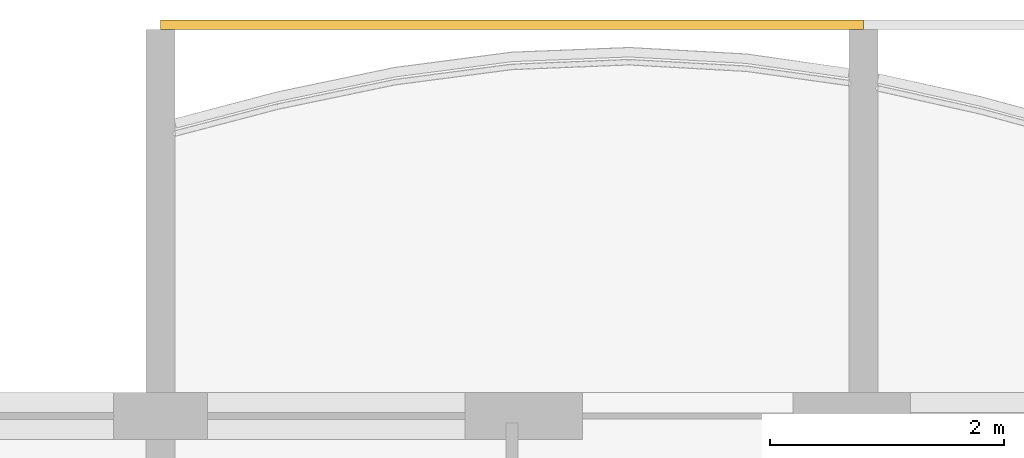
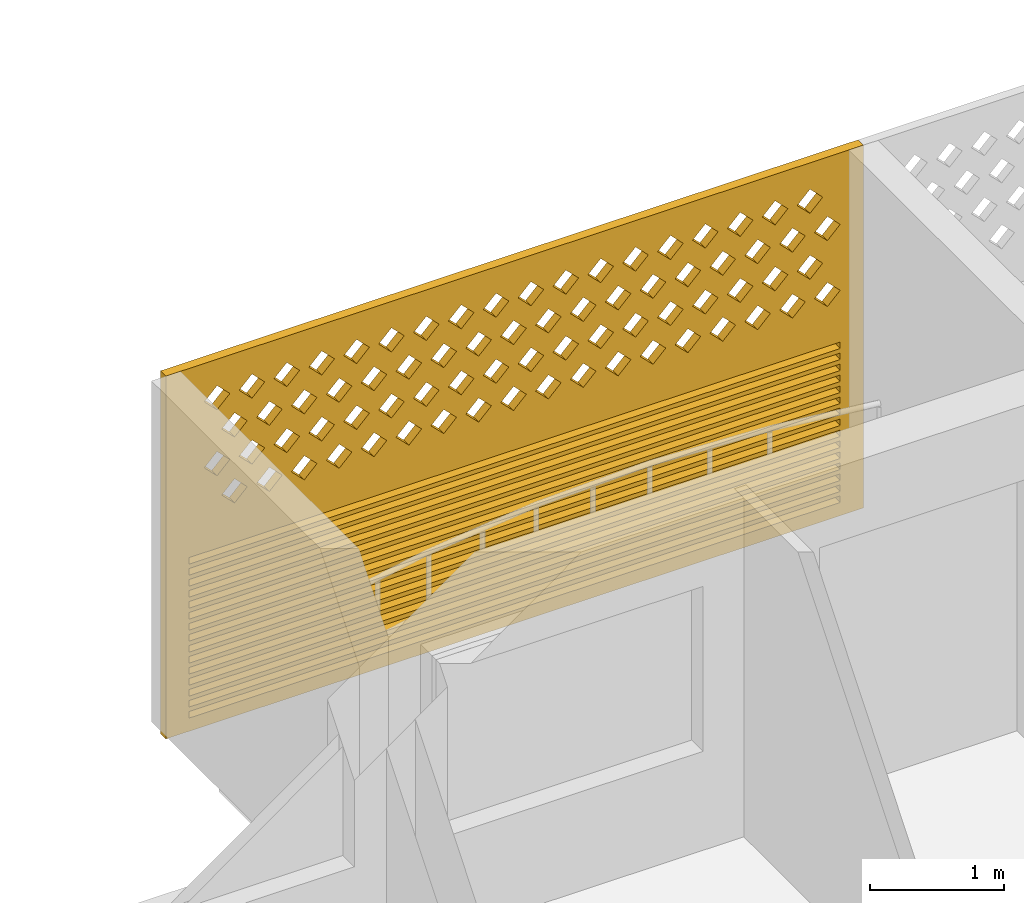
# One storey, part 25 of 29: 1 covering.
"""IFC4 building model written with IfcOpenShell, lengths in metres."""

import ifcopenshell
import ifcopenshell.guid

model = None  # the IFC model being written
_history = None  # IfcOwnerHistory: only IFC2X3 demands one
_inside = {}  # id of a spatial element -> (the spatial element, [elements in it])
_under = {}  # id of a project, library or spatial element -> (it, [spatial elements below it])
_declared = {}  # id of a project -> (the project, [libraries it declares])
_typed = {}  # id of a type object -> (the type object, [elements of that type])
_made_of = {}  # id of a material, layer set ... -> (it, [elements and type objects made of it])


def new_model(schema):
    """Start an empty IFC model of exactly this schema.

    Asked for "IFC4X3", IfcOpenShell would pick the latest addendum, in which some entities
    have other attributes; the version numbers below select the first issue.
    IFC2X3 requires an IfcOwnerHistory on every rooted entity: one is made here for all.
    """
    global model, _history
    if schema == "IFC4X3":
        model = ifcopenshell.file(schema_version=(4, 3, 0, 0))
    else:
        model = ifcopenshell.file(schema=schema)
    _inside.clear()
    _under.clear()
    _declared.clear()
    _typed.clear()
    _made_of.clear()
    _history = None
    if model.schema == "IFC2X3":
        org = make("IfcOrganization", Name="unknown")
        user = make(
            "IfcPersonAndOrganization",
            ThePerson=make("IfcPerson", FamilyName="unknown"),
            TheOrganization=org,
        )
        app = make(
            "IfcApplication",
            ApplicationDeveloper=org,
            Version="unknown",
            ApplicationFullName="unknown",
            ApplicationIdentifier="unknown",
        )
        _history = make(
            "IfcOwnerHistory",
            OwningUser=user,
            OwningApplication=app,
            ChangeAction="ADDED",
            CreationDate=0,
        )
    return model


def make(cls, **values):
    """One entity of the class cls with the attributes given. An attribute that is None is left unset."""
    return model.create_entity(
        cls, **{name: value for name, value in values.items() if value is not None}
    )


def rooted(cls, **values):
    """An entity with a GlobalId (a new one), such as an element, a storey or a relation."""
    return make(cls, GlobalId=ifcopenshell.guid.new(), OwnerHistory=_history, **values)


def si_unit(unit_type, name, prefix=None):
    """IfcSIUnit, for example si_unit("LENGTHUNIT", "METRE", prefix="MILLI")."""
    return make("IfcSIUnit", UnitType=unit_type, Prefix=prefix, Name=name)


def assignment(units):
    """IfcUnitAssignment: the units of a project."""
    return None if units is None else make("IfcUnitAssignment", Units=units)


def point(xyz):
    """IfcCartesianPoint."""
    return None if xyz is None else make("IfcCartesianPoint", Coordinates=xyz)


def direction(xyz):
    """IfcDirection."""
    return None if xyz is None else make("IfcDirection", DirectionRatios=xyz)


def frame(location, z_axis=None, x_axis=None):
    """IfcAxis2Placement3D, a coordinate frame: its origin and axes. An axis left out is left unset."""
    return make(
        "IfcAxis2Placement3D",
        Location=point(location),
        Axis=direction(z_axis),
        RefDirection=direction(x_axis),
    )


def origin():
    """The frame at (0, 0, 0) with its axes left unset."""
    return frame((0.0, 0.0, 0.0))


def place(relative_to, where):
    """IfcLocalPlacement: puts the frame where relative to a parent placement (None: the world)."""
    return make(
        "IfcLocalPlacement", PlacementRelTo=relative_to, RelativePlacement=where
    )


def context(
    kind, dimensions, precision=None, world=None, true_north=None, identifier=None
):
    """IfcGeometricRepresentationContext, for example the 3D "Model" context."""
    return make(
        "IfcGeometricRepresentationContext",
        ContextIdentifier=identifier,
        ContextType=kind,
        CoordinateSpaceDimension=dimensions,
        Precision=precision,
        WorldCoordinateSystem=world,
        TrueNorth=true_north,
    )


def subcontext(parent, identifier, kind, view, scale=None):
    """IfcGeometricRepresentationSubContext, for example "Body" below "Model"."""
    return make(
        "IfcGeometricRepresentationSubContext",
        ContextIdentifier=identifier,
        ContextType=kind,
        ParentContext=parent,
        TargetScale=scale,
        TargetView=view,
    )


def project(units=None, contexts=None):
    """IfcProject with its units and contexts."""
    return rooted(
        "IfcProject",
        Name="project",
        RepresentationContexts=contexts,
        UnitsInContext=assignment(units),
    )


def spatial(cls, under=None, at=None, **own):
    """A site, building, storey or space (cls), placed at a placement, below another one or the project."""
    s = rooted(cls, ObjectPlacement=at, **own)
    if under is not None:
        _under.setdefault(under.id(), (under, []))[1].append(s)
    return s


def polyline(points):
    """IfcPolyline through the points."""
    return make("IfcPolyline", Points=[point(p) for p in points])


def outline(outer, holes=None, kind="AREA"):
    """IfcArbitraryClosedProfileDef: a profile drawn as a closed curve; with holes, ...WithVoids."""
    if holes is None:
        return make("IfcArbitraryClosedProfileDef", ProfileType=kind, OuterCurve=outer)
    return make(
        "IfcArbitraryProfileDefWithVoids",
        ProfileType=kind,
        OuterCurve=outer,
        InnerCurves=holes,
    )


def extrude(swept, where, along, depth):
    """IfcExtrudedAreaSolid: the profile swept, set in the frame where, extruded along a direction by depth."""
    return make(
        "IfcExtrudedAreaSolid",
        SweptArea=swept,
        Position=where,
        ExtrudedDirection=direction(along),
        Depth=depth,
    )


def shape(context_of_items, identifier, shape_type, items):
    """IfcShapeRepresentation: the items that make up one representation, for example the "Body"."""
    return make(
        "IfcShapeRepresentation",
        ContextOfItems=context_of_items,
        RepresentationIdentifier=identifier,
        RepresentationType=shape_type,
        Items=items,
    )


def source(mapping_origin, context_of_items, identifier, shape_type, items):
    """IfcRepresentationMap: a shape defined once, which mapped items show again and again."""
    return make(
        "IfcRepresentationMap",
        MappingOrigin=mapping_origin,
        MappedRepresentation=shape(context_of_items, identifier, shape_type, items),
    )


def transform(
    local_origin,
    x_axis=None,
    y_axis=None,
    z_axis=None,
    scale=None,
    scale2=None,
    scale3=None,
    uniform=True,
):
    """IfcCartesianTransformationOperator3D, or its non-uniform kind. x_axis, y_axis, z_axis: its Axis1, 2, 3."""
    if uniform:
        return make(
            "IfcCartesianTransformationOperator3D",
            Axis1=direction(x_axis),
            Axis2=direction(y_axis),
            LocalOrigin=point(local_origin),
            Scale=scale,
            Axis3=direction(z_axis),
        )
    return make(
        "IfcCartesianTransformationOperator3DnonUniform",
        Axis1=direction(x_axis),
        Axis2=direction(y_axis),
        LocalOrigin=point(local_origin),
        Scale=scale,
        Axis3=direction(z_axis),
        Scale2=scale2,
        Scale3=scale3,
    )


def mapped(mapping_source, mapping_target):
    """IfcMappedItem: shows the shape of a source again, moved by a transform."""
    return make(
        "IfcMappedItem", MappingSource=mapping_source, MappingTarget=mapping_target
    )


def material(Name=None, Category=None):
    """IfcMaterial."""
    return make("IfcMaterial", Name=Name, Category=Category)


def material_profile(
    of_material, cross_section, Name=None, Category=None, Priority=None
):
    """IfcMaterialProfile: a cross section and its material."""
    return make(
        "IfcMaterialProfile",
        Name=Name,
        Material=of_material,
        Profile=cross_section,
        Priority=Priority,
        Category=Category,
    )


def profile_set(profiles, Name=None, composite=None):
    """IfcMaterialProfileSet."""
    return make(
        "IfcMaterialProfileSet",
        Name=Name,
        MaterialProfiles=profiles,
        CompositeProfile=composite,
    )


def made_of(thing, what):
    """Note that an element or type object is made of a material, layer set ...; save() writes the relation."""
    if what is not None:
        _made_of.setdefault(what.id(), (what, []))[1].append(thing)
    return thing


def type_object(cls, material=None, **own):
    """A type object (cls), such as IfcWallType, which elements share."""
    return made_of(rooted(cls, **own), material)


def element(
    cls,
    number,
    at=None,
    inside=None,
    cuts=None,
    type_object=None,
    material=None,
    context=None,
    identifier="Body",
    shape_type=None,
    held_by="IfcProductDefinitionShape",
    body=None,
    shapes=None,
    **own,
):
    """One element of the class cls, such as IfcWall. Its Tag is "e" and its number.

    at: its placement. inside: the storey or other place that contains it. cuts: it is an
    opening in that element (IfcRelVoidsElement). A single representation is given by context,
    identifier, shape_type and body (its items); several are given by shapes. held_by: the class
    of the entity that holds the representations. save() writes the other relations.
    """
    e = rooted(cls, Tag="e%d" % number, ObjectPlacement=at, **own)
    if body is not None:
        shapes = [shape(context, identifier, shape_type, body)]
    if shapes is not None:
        e.Representation = make(held_by, Representations=shapes)
    if inside is not None:
        _inside.setdefault(inside.id(), (inside, []))[1].append(e)
    if cuts is not None:
        rooted(
            "IfcRelVoidsElement", RelatingBuildingElement=cuts, RelatedOpeningElement=e
        )
    if type_object is not None:
        _typed.setdefault(type_object.id(), (type_object, []))[1].append(e)
    return made_of(e, material)


def aggregate(whole, parts):
    """IfcRelAggregates: a whole, such as a stair, and the parts it consists of."""
    return rooted("IfcRelAggregates", RelatingObject=whole, RelatedObjects=parts)


def save(model, path):
    """Write the relations noted so far, then the file.

    IfcRelAggregates (storeys below a building ...), IfcRelContainedInSpatialStructure (elements
    in a storey), IfcRelDefinesByType, IfcRelAssociatesMaterial and IfcRelDeclares: one each for
    every whole, place, type object, material and project.
    """
    for whole, parts in _under.values():
        aggregate(whole, parts)
    for where, things in _inside.values():
        rooted(
            "IfcRelContainedInSpatialStructure",
            RelatedElements=things,
            RelatingStructure=where,
        )
    for kind, things in _typed.values():
        rooted("IfcRelDefinesByType", RelatedObjects=things, RelatingType=kind)
    for what, things in _made_of.values():
        rooted("IfcRelAssociatesMaterial", RelatedObjects=things, RelatingMaterial=what)
    for by, libraries in _declared.values():
        rooted("IfcRelDeclares", RelatingContext=by, RelatedDefinitions=libraries)
    model.write(path)


model = new_model("IFC4")

# Units and contexts
model_context = context("Model", 3, precision=1e-05, world=origin(), true_north=direction((0.0, 1.0)))
body_context = subcontext(model_context, "Body", "Model", "MODEL_VIEW")
ifc_project = project(units=[si_unit("LENGTHUNIT", "METRE"), si_unit("AREAUNIT", "SQUARE_METRE"), si_unit("VOLUMEUNIT", "CUBIC_METRE"), si_unit("PLANEANGLEUNIT", "RADIAN"), si_unit("MASSUNIT", "GRAM", prefix="KILO")], contexts=[model_context])

# Site, building, storey
site_placement = place(None, origin())
site = spatial("IfcSite", under=ifc_project, at=site_placement, CompositionType="ELEMENT")
building_placement = place(site_placement, origin())
building = spatial("IfcBuilding", under=site, at=building_placement, Name="Poui Terraces", CompositionType="ELEMENT")
storey_placement = place(building_placement, frame((0.0, 0.0, 237.89990234375)))
storey = spatial("IfcBuildingStorey", under=building, at=storey_placement, Name="L66", CompositionType="ELEMENT", Elevation=237.89990234375)

# Covering
ifc_material = material(Name="Terracotta screen", Category="masonry")
ifc_material_profile = material_profile(ifc_material, outline(polyline([(-3.0, -1.64990234375), (3.0, -1.64990234375), (3.0, 1.64990234375), (-3.0, 1.64990234375), (-3.0, -1.64990234375)]), holes=[polyline([(-2.800048828125, 0.39990234375), (-2.68994140625, 0.2900390625), (-2.580078125, 0.39990234375), (-2.68994140625, 0.510009765625), (-2.800048828125, 0.39990234375)]), polyline([(-2.5, 0.39990234375), (-2.389892578125, 0.2900390625), (-2.280029296875, 0.39990234375), (-2.389892578125, 0.510009765625), (-2.5, 0.39990234375)]), polyline([(-2.199951171875, 0.39990234375), (-2.090087890625, 0.2900390625), (-1.97998046875, 0.39990234375), (-2.090087890625, 0.510009765625), (-2.199951171875, 0.39990234375)]), polyline([(-1.89990234375, 0.39990234375), (-1.7900390625, 0.2900390625), (-1.679931640625, 0.39990234375), (-1.7900390625, 0.510009765625), (-1.89990234375, 0.39990234375)]), polyline([(-1.60009765625, 0.39990234375), (-1.489990234375, 0.2900390625), (-1.3798828125, 0.39990234375), (-1.489990234375, 0.510009765625), (-1.60009765625, 0.39990234375)]), polyline([(-1.300048828125, 0.39990234375), (-1.18994140625, 0.2900390625), (-1.080078125, 0.39990234375), (-1.18994140625, 0.510009765625), (-1.300048828125, 0.39990234375)]), polyline([(-1.0, 0.39990234375), (-0.889892578125, 0.2900390625), (-0.780029296875, 0.39990234375), (-0.889892578125, 0.510009765625), (-1.0, 0.39990234375)]), polyline([(-0.699951171875, 0.39990234375), (-0.590087890625, 0.2900390625), (-0.47998046875, 0.39990234375), (-0.590087890625, 0.510009765625), (-0.699951171875, 0.39990234375)]), polyline([(-0.39990234375, 0.39990234375), (-0.2900390625, 0.2900390625), (-0.179931640625, 0.39990234375), (-0.2900390625, 0.510009765625), (-0.39990234375, 0.39990234375)]), polyline([(-0.10009765625, 0.39990234375), (0.010009765625, 0.2900390625), (0.1201171875, 0.39990234375), (0.010009765625, 0.510009765625), (-0.10009765625, 0.39990234375)]), polyline([(0.199951171875, 0.39990234375), (0.31005859375, 0.2900390625), (0.419921875, 0.39990234375), (0.31005859375, 0.510009765625), (0.199951171875, 0.39990234375)]), polyline([(0.5, 0.39990234375), (0.610107421875, 0.2900390625), (0.719970703125, 0.39990234375), (0.610107421875, 0.510009765625), (0.5, 0.39990234375)]), polyline([(0.800048828125, 0.39990234375), (0.909912109375, 0.2900390625), (1.02001953125, 0.39990234375), (0.909912109375, 0.510009765625), (0.800048828125, 0.39990234375)]), polyline([(1.10009765625, 0.39990234375), (1.2099609375, 0.2900390625), (1.320068359375, 0.39990234375), (1.2099609375, 0.510009765625), (1.10009765625, 0.39990234375)]), polyline([(1.39990234375, 0.39990234375), (1.510009765625, 0.2900390625), (1.6201171875, 0.39990234375), (1.510009765625, 0.510009765625), (1.39990234375, 0.39990234375)]), polyline([(1.699951171875, 0.39990234375), (1.81005859375, 0.2900390625), (1.919921875, 0.39990234375), (1.81005859375, 0.510009765625), (1.699951171875, 0.39990234375)]), polyline([(2.0, 0.39990234375), (2.110107421875, 0.2900390625), (2.219970703125, 0.39990234375), (2.110107421875, 0.510009765625), (2.0, 0.39990234375)]), polyline([(2.300048828125, 0.39990234375), (2.409912109375, 0.2900390625), (2.52001953125, 0.39990234375), (2.409912109375, 0.510009765625), (2.300048828125, 0.39990234375)]), polyline([(-2.64990234375, 0.699951171875), (-2.5400390625, 0.590087890625), (-2.429931640625, 0.699951171875), (-2.5400390625, 0.81005859375), (-2.64990234375, 0.699951171875)]), polyline([(-2.35009765625, 0.699951171875), (-2.239990234375, 0.590087890625), (-2.1298828125, 0.699951171875), (-2.239990234375, 0.81005859375), (-2.35009765625, 0.699951171875)]), polyline([(-2.050048828125, 0.699951171875), (-1.93994140625, 0.590087890625), (-1.830078125, 0.699951171875), (-1.93994140625, 0.81005859375), (-2.050048828125, 0.699951171875)]), polyline([(-1.75, 0.699951171875), (-1.639892578125, 0.590087890625), (-1.530029296875, 0.699951171875), (-1.639892578125, 0.81005859375), (-1.75, 0.699951171875)]), polyline([(-1.449951171875, 0.699951171875), (-1.340087890625, 0.590087890625), (-1.22998046875, 0.699951171875), (-1.340087890625, 0.81005859375), (-1.449951171875, 0.699951171875)]), polyline([(-1.14990234375, 0.699951171875), (-1.0400390625, 0.590087890625), (-0.929931640625, 0.699951171875), (-1.0400390625, 0.81005859375), (-1.14990234375, 0.699951171875)]), polyline([(-0.85009765625, 0.699951171875), (-0.739990234375, 0.590087890625), (-0.6298828125, 0.699951171875), (-0.739990234375, 0.81005859375), (-0.85009765625, 0.699951171875)]), polyline([(-0.550048828125, 0.699951171875), (-0.43994140625, 0.590087890625), (-0.330078125, 0.699951171875), (-0.43994140625, 0.81005859375), (-0.550048828125, 0.699951171875)]), polyline([(-0.25, 0.699951171875), (-0.139892578125, 0.590087890625), (-0.030029296875, 0.699951171875), (-0.139892578125, 0.81005859375), (-0.25, 0.699951171875)]), polyline([(0.050048828125, 0.699951171875), (0.159912109375, 0.590087890625), (0.27001953125, 0.699951171875), (0.159912109375, 0.81005859375), (0.050048828125, 0.699951171875)]), polyline([(0.35009765625, 0.699951171875), (0.4599609375, 0.590087890625), (0.570068359375, 0.699951171875), (0.4599609375, 0.81005859375), (0.35009765625, 0.699951171875)]), polyline([(0.64990234375, 0.699951171875), (0.760009765625, 0.590087890625), (0.8701171875, 0.699951171875), (0.760009765625, 0.81005859375), (0.64990234375, 0.699951171875)]), polyline([(0.949951171875, 0.699951171875), (1.06005859375, 0.590087890625), (1.169921875, 0.699951171875), (1.06005859375, 0.81005859375), (0.949951171875, 0.699951171875)]), polyline([(1.25, 0.699951171875), (1.360107421875, 0.590087890625), (1.469970703125, 0.699951171875), (1.360107421875, 0.81005859375), (1.25, 0.699951171875)]), polyline([(1.550048828125, 0.699951171875), (1.659912109375, 0.590087890625), (1.77001953125, 0.699951171875), (1.659912109375, 0.81005859375), (1.550048828125, 0.699951171875)]), polyline([(1.85009765625, 0.699951171875), (1.9599609375, 0.590087890625), (2.070068359375, 0.699951171875), (1.9599609375, 0.81005859375), (1.85009765625, 0.699951171875)]), polyline([(2.14990234375, 0.699951171875), (2.260009765625, 0.590087890625), (2.3701171875, 0.699951171875), (2.260009765625, 0.81005859375), (2.14990234375, 0.699951171875)]), polyline([(2.449951171875, 0.699951171875), (2.56005859375, 0.590087890625), (2.669921875, 0.699951171875), (2.56005859375, 0.81005859375), (2.449951171875, 0.699951171875)]), polyline([(-2.800048828125, 1.0), (-2.68994140625, 0.889892578125), (-2.580078125, 1.0), (-2.68994140625, 1.110107421875), (-2.800048828125, 1.0)]), polyline([(-2.5, 1.0), (-2.389892578125, 0.889892578125), (-2.280029296875, 1.0), (-2.389892578125, 1.110107421875), (-2.5, 1.0)]), polyline([(-2.199951171875, 1.0), (-2.090087890625, 0.889892578125), (-1.97998046875, 1.0), (-2.090087890625, 1.110107421875), (-2.199951171875, 1.0)]), polyline([(-1.89990234375, 1.0), (-1.7900390625, 0.889892578125), (-1.679931640625, 1.0), (-1.7900390625, 1.110107421875), (-1.89990234375, 1.0)]), polyline([(-1.60009765625, 1.0), (-1.489990234375, 0.889892578125), (-1.3798828125, 1.0), (-1.489990234375, 1.110107421875), (-1.60009765625, 1.0)]), polyline([(-1.300048828125, 1.0), (-1.18994140625, 0.889892578125), (-1.080078125, 1.0), (-1.18994140625, 1.110107421875), (-1.300048828125, 1.0)]), polyline([(-1.0, 1.0), (-0.889892578125, 0.889892578125), (-0.780029296875, 1.0), (-0.889892578125, 1.110107421875), (-1.0, 1.0)]), polyline([(-0.699951171875, 1.0), (-0.590087890625, 0.889892578125), (-0.47998046875, 1.0), (-0.590087890625, 1.110107421875), (-0.699951171875, 1.0)]), polyline([(-0.39990234375, 1.0), (-0.2900390625, 0.889892578125), (-0.179931640625, 1.0), (-0.2900390625, 1.110107421875), (-0.39990234375, 1.0)]), polyline([(-0.10009765625, 1.0), (0.010009765625, 0.889892578125), (0.1201171875, 1.0), (0.010009765625, 1.110107421875), (-0.10009765625, 1.0)]), polyline([(0.199951171875, 1.0), (0.31005859375, 0.889892578125), (0.419921875, 1.0), (0.31005859375, 1.110107421875), (0.199951171875, 1.0)]), polyline([(0.5, 1.0), (0.610107421875, 0.889892578125), (0.719970703125, 1.0), (0.610107421875, 1.110107421875), (0.5, 1.0)]), polyline([(0.800048828125, 1.0), (0.909912109375, 0.889892578125), (1.02001953125, 1.0), (0.909912109375, 1.110107421875), (0.800048828125, 1.0)]), polyline([(1.10009765625, 1.0), (1.2099609375, 0.889892578125), (1.320068359375, 1.0), (1.2099609375, 1.110107421875), (1.10009765625, 1.0)]), polyline([(1.39990234375, 1.0), (1.510009765625, 0.889892578125), (1.6201171875, 1.0), (1.510009765625, 1.110107421875), (1.39990234375, 1.0)]), polyline([(1.699951171875, 1.0), (1.81005859375, 0.889892578125), (1.919921875, 1.0), (1.81005859375, 1.110107421875), (1.699951171875, 1.0)]), polyline([(2.0, 1.0), (2.110107421875, 0.889892578125), (2.219970703125, 1.0), (2.110107421875, 1.110107421875), (2.0, 1.0)]), polyline([(2.300048828125, 1.0), (2.409912109375, 0.889892578125), (2.52001953125, 1.0), (2.409912109375, 1.110107421875), (2.300048828125, 1.0)]), polyline([(-2.64990234375, 1.300048828125), (-2.5400390625, 1.18994140625), (-2.429931640625, 1.300048828125), (-2.5400390625, 1.409912109375), (-2.64990234375, 1.300048828125)]), polyline([(-2.35009765625, 1.300048828125), (-2.239990234375, 1.18994140625), (-2.1298828125, 1.300048828125), (-2.239990234375, 1.409912109375), (-2.35009765625, 1.300048828125)]), polyline([(-2.050048828125, 1.300048828125), (-1.93994140625, 1.18994140625), (-1.830078125, 1.300048828125), (-1.93994140625, 1.409912109375), (-2.050048828125, 1.300048828125)]), polyline([(-1.75, 1.300048828125), (-1.639892578125, 1.18994140625), (-1.530029296875, 1.300048828125), (-1.639892578125, 1.409912109375), (-1.75, 1.300048828125)]), polyline([(-1.449951171875, 1.300048828125), (-1.340087890625, 1.18994140625), (-1.22998046875, 1.300048828125), (-1.340087890625, 1.409912109375), (-1.449951171875, 1.300048828125)]), polyline([(-1.14990234375, 1.300048828125), (-1.0400390625, 1.18994140625), (-0.929931640625, 1.300048828125), (-1.0400390625, 1.409912109375), (-1.14990234375, 1.300048828125)]), polyline([(-0.85009765625, 1.300048828125), (-0.739990234375, 1.18994140625), (-0.6298828125, 1.300048828125), (-0.739990234375, 1.409912109375), (-0.85009765625, 1.300048828125)]), polyline([(-0.550048828125, 1.300048828125), (-0.43994140625, 1.18994140625), (-0.330078125, 1.300048828125), (-0.43994140625, 1.409912109375), (-0.550048828125, 1.300048828125)]), polyline([(-0.25, 1.300048828125), (-0.139892578125, 1.18994140625), (-0.030029296875, 1.300048828125), (-0.139892578125, 1.409912109375), (-0.25, 1.300048828125)]), polyline([(0.050048828125, 1.300048828125), (0.159912109375, 1.18994140625), (0.27001953125, 1.300048828125), (0.159912109375, 1.409912109375), (0.050048828125, 1.300048828125)]), polyline([(0.35009765625, 1.300048828125), (0.4599609375, 1.18994140625), (0.570068359375, 1.300048828125), (0.4599609375, 1.409912109375), (0.35009765625, 1.300048828125)]), polyline([(0.64990234375, 1.300048828125), (0.760009765625, 1.18994140625), (0.8701171875, 1.300048828125), (0.760009765625, 1.409912109375), (0.64990234375, 1.300048828125)]), polyline([(0.949951171875, 1.300048828125), (1.06005859375, 1.18994140625), (1.169921875, 1.300048828125), (1.06005859375, 1.409912109375), (0.949951171875, 1.300048828125)]), polyline([(1.25, 1.300048828125), (1.360107421875, 1.18994140625), (1.469970703125, 1.300048828125), (1.360107421875, 1.409912109375), (1.25, 1.300048828125)]), polyline([(1.550048828125, 1.300048828125), (1.659912109375, 1.18994140625), (1.77001953125, 1.300048828125), (1.659912109375, 1.409912109375), (1.550048828125, 1.300048828125)]), polyline([(1.85009765625, 1.300048828125), (1.9599609375, 1.18994140625), (2.070068359375, 1.300048828125), (1.9599609375, 1.409912109375), (1.85009765625, 1.300048828125)]), polyline([(2.14990234375, 1.300048828125), (2.260009765625, 1.18994140625), (2.3701171875, 1.300048828125), (2.260009765625, 1.409912109375), (2.14990234375, 1.300048828125)]), polyline([(2.449951171875, 1.300048828125), (2.56005859375, 1.18994140625), (2.669921875, 1.300048828125), (2.56005859375, 1.409912109375), (2.449951171875, 1.300048828125)]), polyline([(-2.800048828125, -1.530029296875), (2.800048828125, -1.530029296875), (2.800048828125, -1.469970703125), (-2.800048828125, -1.469970703125), (-2.800048828125, -1.530029296875)]), polyline([(-2.800048828125, -1.429931640625), (2.800048828125, -1.429931640625), (2.800048828125, -1.3701171875), (-2.800048828125, -1.3701171875), (-2.800048828125, -1.429931640625)]), polyline([(-2.800048828125, -1.330078125), (2.800048828125, -1.330078125), (2.800048828125, -1.27001953125), (-2.800048828125, -1.27001953125), (-2.800048828125, -1.330078125)]), polyline([(-2.800048828125, -1.22998046875), (2.800048828125, -1.22998046875), (2.800048828125, -1.169921875), (-2.800048828125, -1.169921875), (-2.800048828125, -1.22998046875)]), polyline([(-2.800048828125, -1.1298828125), (2.800048828125, -1.1298828125), (2.800048828125, -1.070068359375), (-2.800048828125, -1.070068359375), (-2.800048828125, -1.1298828125)]), polyline([(-2.800048828125, -1.030029296875), (2.800048828125, -1.030029296875), (2.800048828125, -0.969970703125), (-2.800048828125, -0.969970703125), (-2.800048828125, -1.030029296875)]), polyline([(-2.800048828125, -0.929931640625), (2.800048828125, -0.929931640625), (2.800048828125, -0.8701171875), (-2.800048828125, -0.8701171875), (-2.800048828125, -0.929931640625)]), polyline([(-2.800048828125, -0.830078125), (2.800048828125, -0.830078125), (2.800048828125, -0.77001953125), (-2.800048828125, -0.77001953125), (-2.800048828125, -0.830078125)]), polyline([(-2.800048828125, -0.72998046875), (2.800048828125, -0.72998046875), (2.800048828125, -0.669921875), (-2.800048828125, -0.669921875), (-2.800048828125, -0.72998046875)]), polyline([(-2.800048828125, -0.6298828125), (2.800048828125, -0.6298828125), (2.800048828125, -0.570068359375), (-2.800048828125, -0.570068359375), (-2.800048828125, -0.6298828125)]), polyline([(-2.800048828125, -0.530029296875), (2.800048828125, -0.530029296875), (2.800048828125, -0.469970703125), (-2.800048828125, -0.469970703125), (-2.800048828125, -0.530029296875)]), polyline([(-2.800048828125, -0.429931640625), (2.800048828125, -0.429931640625), (2.800048828125, -0.3701171875), (-2.800048828125, -0.3701171875), (-2.800048828125, -0.429931640625)]), polyline([(-2.800048828125, -0.330078125), (2.800048828125, -0.330078125), (2.800048828125, -0.27001953125), (-2.800048828125, -0.27001953125), (-2.800048828125, -0.330078125)]), polyline([(-2.800048828125, -0.22998046875), (2.800048828125, -0.22998046875), (2.800048828125, -0.169921875), (-2.800048828125, -0.169921875), (-2.800048828125, -0.22998046875)]), polyline([(-2.800048828125, -0.1298828125), (2.800048828125, -0.1298828125), (2.800048828125, -0.070068359375), (-2.800048828125, -0.070068359375), (-2.800048828125, -0.1298828125)])]), Name="TERRACOTTA SCREEN AND JALOUSIE LOUVRE 6000X3300")
ifc_profile_set = profile_set([ifc_material_profile], Name="Terracotta screen")
covering_type = type_object("IfcCoveringType", Name="TERRACOTTA SCREEN AND JALOUSIE LOUVRE 6000X3300", PredefinedType="CLADDING", material=ifc_profile_set)
shared_shape = source(origin(), body_context, "Body", "SweptSolid", [
    extrude(outline(polyline([(-3.0, -1.64990234375), (3.0, -1.64990234375), (3.0, 1.64990234375), (-3.0, 1.64990234375), (-3.0, -1.64990234375)]), holes=[polyline([(-2.800048828125, 0.39990234375), (-2.68994140625, 0.2900390625), (-2.580078125, 0.39990234375), (-2.68994140625, 0.510009765625), (-2.800048828125, 0.39990234375)]), polyline([(-2.5, 0.39990234375), (-2.389892578125, 0.2900390625), (-2.280029296875, 0.39990234375), (-2.389892578125, 0.510009765625), (-2.5, 0.39990234375)]), polyline([(-2.199951171875, 0.39990234375), (-2.090087890625, 0.2900390625), (-1.97998046875, 0.39990234375), (-2.090087890625, 0.510009765625), (-2.199951171875, 0.39990234375)]), polyline([(-1.89990234375, 0.39990234375), (-1.7900390625, 0.2900390625), (-1.679931640625, 0.39990234375), (-1.7900390625, 0.510009765625), (-1.89990234375, 0.39990234375)]), polyline([(-1.60009765625, 0.39990234375), (-1.489990234375, 0.2900390625), (-1.3798828125, 0.39990234375), (-1.489990234375, 0.510009765625), (-1.60009765625, 0.39990234375)]), polyline([(-1.300048828125, 0.39990234375), (-1.18994140625, 0.2900390625), (-1.080078125, 0.39990234375), (-1.18994140625, 0.510009765625), (-1.300048828125, 0.39990234375)]), polyline([(-1.0, 0.39990234375), (-0.889892578125, 0.2900390625), (-0.780029296875, 0.39990234375), (-0.889892578125, 0.510009765625), (-1.0, 0.39990234375)]), polyline([(-0.699951171875, 0.39990234375), (-0.590087890625, 0.2900390625), (-0.47998046875, 0.39990234375), (-0.590087890625, 0.510009765625), (-0.699951171875, 0.39990234375)]), polyline([(-0.39990234375, 0.39990234375), (-0.2900390625, 0.2900390625), (-0.179931640625, 0.39990234375), (-0.2900390625, 0.510009765625), (-0.39990234375, 0.39990234375)]), polyline([(-0.10009765625, 0.39990234375), (0.010009765625, 0.2900390625), (0.1201171875, 0.39990234375), (0.010009765625, 0.510009765625), (-0.10009765625, 0.39990234375)]), polyline([(0.199951171875, 0.39990234375), (0.31005859375, 0.2900390625), (0.419921875, 0.39990234375), (0.31005859375, 0.510009765625), (0.199951171875, 0.39990234375)]), polyline([(0.5, 0.39990234375), (0.610107421875, 0.2900390625), (0.719970703125, 0.39990234375), (0.610107421875, 0.510009765625), (0.5, 0.39990234375)]), polyline([(0.800048828125, 0.39990234375), (0.909912109375, 0.2900390625), (1.02001953125, 0.39990234375), (0.909912109375, 0.510009765625), (0.800048828125, 0.39990234375)]), polyline([(1.10009765625, 0.39990234375), (1.2099609375, 0.2900390625), (1.320068359375, 0.39990234375), (1.2099609375, 0.510009765625), (1.10009765625, 0.39990234375)]), polyline([(1.39990234375, 0.39990234375), (1.510009765625, 0.2900390625), (1.6201171875, 0.39990234375), (1.510009765625, 0.510009765625), (1.39990234375, 0.39990234375)]), polyline([(1.699951171875, 0.39990234375), (1.81005859375, 0.2900390625), (1.919921875, 0.39990234375), (1.81005859375, 0.510009765625), (1.699951171875, 0.39990234375)]), polyline([(2.0, 0.39990234375), (2.110107421875, 0.2900390625), (2.219970703125, 0.39990234375), (2.110107421875, 0.510009765625), (2.0, 0.39990234375)]), polyline([(2.300048828125, 0.39990234375), (2.409912109375, 0.2900390625), (2.52001953125, 0.39990234375), (2.409912109375, 0.510009765625), (2.300048828125, 0.39990234375)]), polyline([(-2.64990234375, 0.699951171875), (-2.5400390625, 0.590087890625), (-2.429931640625, 0.699951171875), (-2.5400390625, 0.81005859375), (-2.64990234375, 0.699951171875)]), polyline([(-2.35009765625, 0.699951171875), (-2.239990234375, 0.590087890625), (-2.1298828125, 0.699951171875), (-2.239990234375, 0.81005859375), (-2.35009765625, 0.699951171875)]), polyline([(-2.050048828125, 0.699951171875), (-1.93994140625, 0.590087890625), (-1.830078125, 0.699951171875), (-1.93994140625, 0.81005859375), (-2.050048828125, 0.699951171875)]), polyline([(-1.75, 0.699951171875), (-1.639892578125, 0.590087890625), (-1.530029296875, 0.699951171875), (-1.639892578125, 0.81005859375), (-1.75, 0.699951171875)]), polyline([(-1.449951171875, 0.699951171875), (-1.340087890625, 0.590087890625), (-1.22998046875, 0.699951171875), (-1.340087890625, 0.81005859375), (-1.449951171875, 0.699951171875)]), polyline([(-1.14990234375, 0.699951171875), (-1.0400390625, 0.590087890625), (-0.929931640625, 0.699951171875), (-1.0400390625, 0.81005859375), (-1.14990234375, 0.699951171875)]), polyline([(-0.85009765625, 0.699951171875), (-0.739990234375, 0.590087890625), (-0.6298828125, 0.699951171875), (-0.739990234375, 0.81005859375), (-0.85009765625, 0.699951171875)]), polyline([(-0.550048828125, 0.699951171875), (-0.43994140625, 0.590087890625), (-0.330078125, 0.699951171875), (-0.43994140625, 0.81005859375), (-0.550048828125, 0.699951171875)]), polyline([(-0.25, 0.699951171875), (-0.139892578125, 0.590087890625), (-0.030029296875, 0.699951171875), (-0.139892578125, 0.81005859375), (-0.25, 0.699951171875)]), polyline([(0.050048828125, 0.699951171875), (0.159912109375, 0.590087890625), (0.27001953125, 0.699951171875), (0.159912109375, 0.81005859375), (0.050048828125, 0.699951171875)]), polyline([(0.35009765625, 0.699951171875), (0.4599609375, 0.590087890625), (0.570068359375, 0.699951171875), (0.4599609375, 0.81005859375), (0.35009765625, 0.699951171875)]), polyline([(0.64990234375, 0.699951171875), (0.760009765625, 0.590087890625), (0.8701171875, 0.699951171875), (0.760009765625, 0.81005859375), (0.64990234375, 0.699951171875)]), polyline([(0.949951171875, 0.699951171875), (1.06005859375, 0.590087890625), (1.169921875, 0.699951171875), (1.06005859375, 0.81005859375), (0.949951171875, 0.699951171875)]), polyline([(1.25, 0.699951171875), (1.360107421875, 0.590087890625), (1.469970703125, 0.699951171875), (1.360107421875, 0.81005859375), (1.25, 0.699951171875)]), polyline([(1.550048828125, 0.699951171875), (1.659912109375, 0.590087890625), (1.77001953125, 0.699951171875), (1.659912109375, 0.81005859375), (1.550048828125, 0.699951171875)]), polyline([(1.85009765625, 0.699951171875), (1.9599609375, 0.590087890625), (2.070068359375, 0.699951171875), (1.9599609375, 0.81005859375), (1.85009765625, 0.699951171875)]), polyline([(2.14990234375, 0.699951171875), (2.260009765625, 0.590087890625), (2.3701171875, 0.699951171875), (2.260009765625, 0.81005859375), (2.14990234375, 0.699951171875)]), polyline([(2.449951171875, 0.699951171875), (2.56005859375, 0.590087890625), (2.669921875, 0.699951171875), (2.56005859375, 0.81005859375), (2.449951171875, 0.699951171875)]), polyline([(-2.800048828125, 1.0), (-2.68994140625, 0.889892578125), (-2.580078125, 1.0), (-2.68994140625, 1.110107421875), (-2.800048828125, 1.0)]), polyline([(-2.5, 1.0), (-2.389892578125, 0.889892578125), (-2.280029296875, 1.0), (-2.389892578125, 1.110107421875), (-2.5, 1.0)]), polyline([(-2.199951171875, 1.0), (-2.090087890625, 0.889892578125), (-1.97998046875, 1.0), (-2.090087890625, 1.110107421875), (-2.199951171875, 1.0)]), polyline([(-1.89990234375, 1.0), (-1.7900390625, 0.889892578125), (-1.679931640625, 1.0), (-1.7900390625, 1.110107421875), (-1.89990234375, 1.0)]), polyline([(-1.60009765625, 1.0), (-1.489990234375, 0.889892578125), (-1.3798828125, 1.0), (-1.489990234375, 1.110107421875), (-1.60009765625, 1.0)]), polyline([(-1.300048828125, 1.0), (-1.18994140625, 0.889892578125), (-1.080078125, 1.0), (-1.18994140625, 1.110107421875), (-1.300048828125, 1.0)]), polyline([(-1.0, 1.0), (-0.889892578125, 0.889892578125), (-0.780029296875, 1.0), (-0.889892578125, 1.110107421875), (-1.0, 1.0)]), polyline([(-0.699951171875, 1.0), (-0.590087890625, 0.889892578125), (-0.47998046875, 1.0), (-0.590087890625, 1.110107421875), (-0.699951171875, 1.0)]), polyline([(-0.39990234375, 1.0), (-0.2900390625, 0.889892578125), (-0.179931640625, 1.0), (-0.2900390625, 1.110107421875), (-0.39990234375, 1.0)]), polyline([(-0.10009765625, 1.0), (0.010009765625, 0.889892578125), (0.1201171875, 1.0), (0.010009765625, 1.110107421875), (-0.10009765625, 1.0)]), polyline([(0.199951171875, 1.0), (0.31005859375, 0.889892578125), (0.419921875, 1.0), (0.31005859375, 1.110107421875), (0.199951171875, 1.0)]), polyline([(0.5, 1.0), (0.610107421875, 0.889892578125), (0.719970703125, 1.0), (0.610107421875, 1.110107421875), (0.5, 1.0)]), polyline([(0.800048828125, 1.0), (0.909912109375, 0.889892578125), (1.02001953125, 1.0), (0.909912109375, 1.110107421875), (0.800048828125, 1.0)]), polyline([(1.10009765625, 1.0), (1.2099609375, 0.889892578125), (1.320068359375, 1.0), (1.2099609375, 1.110107421875), (1.10009765625, 1.0)]), polyline([(1.39990234375, 1.0), (1.510009765625, 0.889892578125), (1.6201171875, 1.0), (1.510009765625, 1.110107421875), (1.39990234375, 1.0)]), polyline([(1.699951171875, 1.0), (1.81005859375, 0.889892578125), (1.919921875, 1.0), (1.81005859375, 1.110107421875), (1.699951171875, 1.0)]), polyline([(2.0, 1.0), (2.110107421875, 0.889892578125), (2.219970703125, 1.0), (2.110107421875, 1.110107421875), (2.0, 1.0)]), polyline([(2.300048828125, 1.0), (2.409912109375, 0.889892578125), (2.52001953125, 1.0), (2.409912109375, 1.110107421875), (2.300048828125, 1.0)]), polyline([(-2.64990234375, 1.300048828125), (-2.5400390625, 1.18994140625), (-2.429931640625, 1.300048828125), (-2.5400390625, 1.409912109375), (-2.64990234375, 1.300048828125)]), polyline([(-2.35009765625, 1.300048828125), (-2.239990234375, 1.18994140625), (-2.1298828125, 1.300048828125), (-2.239990234375, 1.409912109375), (-2.35009765625, 1.300048828125)]), polyline([(-2.050048828125, 1.300048828125), (-1.93994140625, 1.18994140625), (-1.830078125, 1.300048828125), (-1.93994140625, 1.409912109375), (-2.050048828125, 1.300048828125)]), polyline([(-1.75, 1.300048828125), (-1.639892578125, 1.18994140625), (-1.530029296875, 1.300048828125), (-1.639892578125, 1.409912109375), (-1.75, 1.300048828125)]), polyline([(-1.449951171875, 1.300048828125), (-1.340087890625, 1.18994140625), (-1.22998046875, 1.300048828125), (-1.340087890625, 1.409912109375), (-1.449951171875, 1.300048828125)]), polyline([(-1.14990234375, 1.300048828125), (-1.0400390625, 1.18994140625), (-0.929931640625, 1.300048828125), (-1.0400390625, 1.409912109375), (-1.14990234375, 1.300048828125)]), polyline([(-0.85009765625, 1.300048828125), (-0.739990234375, 1.18994140625), (-0.6298828125, 1.300048828125), (-0.739990234375, 1.409912109375), (-0.85009765625, 1.300048828125)]), polyline([(-0.550048828125, 1.300048828125), (-0.43994140625, 1.18994140625), (-0.330078125, 1.300048828125), (-0.43994140625, 1.409912109375), (-0.550048828125, 1.300048828125)]), polyline([(-0.25, 1.300048828125), (-0.139892578125, 1.18994140625), (-0.030029296875, 1.300048828125), (-0.139892578125, 1.409912109375), (-0.25, 1.300048828125)]), polyline([(0.050048828125, 1.300048828125), (0.159912109375, 1.18994140625), (0.27001953125, 1.300048828125), (0.159912109375, 1.409912109375), (0.050048828125, 1.300048828125)]), polyline([(0.35009765625, 1.300048828125), (0.4599609375, 1.18994140625), (0.570068359375, 1.300048828125), (0.4599609375, 1.409912109375), (0.35009765625, 1.300048828125)]), polyline([(0.64990234375, 1.300048828125), (0.760009765625, 1.18994140625), (0.8701171875, 1.300048828125), (0.760009765625, 1.409912109375), (0.64990234375, 1.300048828125)]), polyline([(0.949951171875, 1.300048828125), (1.06005859375, 1.18994140625), (1.169921875, 1.300048828125), (1.06005859375, 1.409912109375), (0.949951171875, 1.300048828125)]), polyline([(1.25, 1.300048828125), (1.360107421875, 1.18994140625), (1.469970703125, 1.300048828125), (1.360107421875, 1.409912109375), (1.25, 1.300048828125)]), polyline([(1.550048828125, 1.300048828125), (1.659912109375, 1.18994140625), (1.77001953125, 1.300048828125), (1.659912109375, 1.409912109375), (1.550048828125, 1.300048828125)]), polyline([(1.85009765625, 1.300048828125), (1.9599609375, 1.18994140625), (2.070068359375, 1.300048828125), (1.9599609375, 1.409912109375), (1.85009765625, 1.300048828125)]), polyline([(2.14990234375, 1.300048828125), (2.260009765625, 1.18994140625), (2.3701171875, 1.300048828125), (2.260009765625, 1.409912109375), (2.14990234375, 1.300048828125)]), polyline([(2.449951171875, 1.300048828125), (2.56005859375, 1.18994140625), (2.669921875, 1.300048828125), (2.56005859375, 1.409912109375), (2.449951171875, 1.300048828125)]), polyline([(-2.800048828125, -1.530029296875), (2.800048828125, -1.530029296875), (2.800048828125, -1.469970703125), (-2.800048828125, -1.469970703125), (-2.800048828125, -1.530029296875)]), polyline([(-2.800048828125, -1.429931640625), (2.800048828125, -1.429931640625), (2.800048828125, -1.3701171875), (-2.800048828125, -1.3701171875), (-2.800048828125, -1.429931640625)]), polyline([(-2.800048828125, -1.330078125), (2.800048828125, -1.330078125), (2.800048828125, -1.27001953125), (-2.800048828125, -1.27001953125), (-2.800048828125, -1.330078125)]), polyline([(-2.800048828125, -1.22998046875), (2.800048828125, -1.22998046875), (2.800048828125, -1.169921875), (-2.800048828125, -1.169921875), (-2.800048828125, -1.22998046875)]), polyline([(-2.800048828125, -1.1298828125), (2.800048828125, -1.1298828125), (2.800048828125, -1.070068359375), (-2.800048828125, -1.070068359375), (-2.800048828125, -1.1298828125)]), polyline([(-2.800048828125, -1.030029296875), (2.800048828125, -1.030029296875), (2.800048828125, -0.969970703125), (-2.800048828125, -0.969970703125), (-2.800048828125, -1.030029296875)]), polyline([(-2.800048828125, -0.929931640625), (2.800048828125, -0.929931640625), (2.800048828125, -0.8701171875), (-2.800048828125, -0.8701171875), (-2.800048828125, -0.929931640625)]), polyline([(-2.800048828125, -0.830078125), (2.800048828125, -0.830078125), (2.800048828125, -0.77001953125), (-2.800048828125, -0.77001953125), (-2.800048828125, -0.830078125)]), polyline([(-2.800048828125, -0.72998046875), (2.800048828125, -0.72998046875), (2.800048828125, -0.669921875), (-2.800048828125, -0.669921875), (-2.800048828125, -0.72998046875)]), polyline([(-2.800048828125, -0.6298828125), (2.800048828125, -0.6298828125), (2.800048828125, -0.570068359375), (-2.800048828125, -0.570068359375), (-2.800048828125, -0.6298828125)]), polyline([(-2.800048828125, -0.530029296875), (2.800048828125, -0.530029296875), (2.800048828125, -0.469970703125), (-2.800048828125, -0.469970703125), (-2.800048828125, -0.530029296875)]), polyline([(-2.800048828125, -0.429931640625), (2.800048828125, -0.429931640625), (2.800048828125, -0.3701171875), (-2.800048828125, -0.3701171875), (-2.800048828125, -0.429931640625)]), polyline([(-2.800048828125, -0.330078125), (2.800048828125, -0.330078125), (2.800048828125, -0.27001953125), (-2.800048828125, -0.27001953125), (-2.800048828125, -0.330078125)]), polyline([(-2.800048828125, -0.22998046875), (2.800048828125, -0.22998046875), (2.800048828125, -0.169921875), (-2.800048828125, -0.169921875), (-2.800048828125, -0.22998046875)]), polyline([(-2.800048828125, -0.1298828125), (2.800048828125, -0.1298828125), (2.800048828125, -0.070068359375), (-2.800048828125, -0.070068359375), (-2.800048828125, -0.1298828125)])]), origin(), (0.0, 0.0, 1.0), 0.080078125),
])
covering_placement = place(storey_placement, frame((63.0, 44.5, 1.4501953125), z_axis=(0.0, 1.0, 0.0), x_axis=(-1.0, 0.0, 0.0)))
element("IfcCovering", 1, at=covering_placement, inside=storey, type_object=covering_type, Name="SOLAR SCREEN AND JALOUSIE LOUVRE", PredefinedType="CLADDING", context=body_context, shape_type="MappedRepresentation", body=[
    mapped(shared_shape, transform((0.0, 0.0, 0.0))),
])

save(model, "model.ifc")
